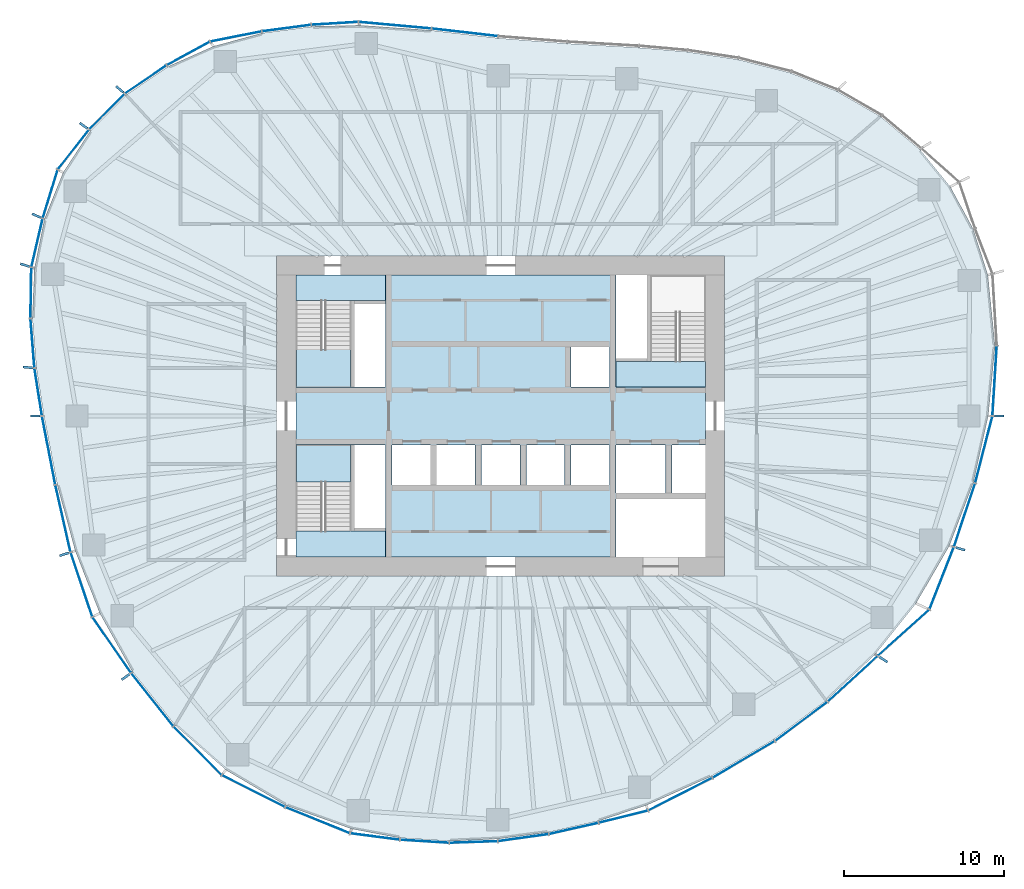
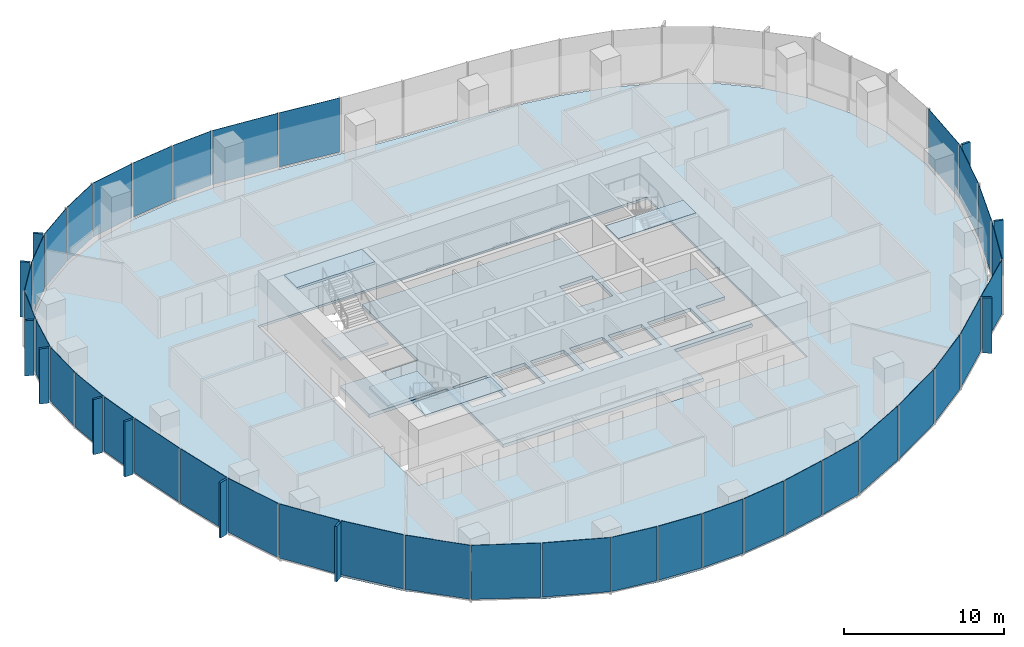
# One storey, part 7 of 18: 48 plates, 7 slabs, 19 elements without a shape of their own.
"""IFC4 building model written with IfcOpenShell, lengths in metres."""

from ifc_helpers import new_model, si_unit, direction, frame, origin, origin_2d, place, context, subcontext, project, spatial, polyline, rectangle, outline, extrude, material, layer, layer_set, type_object, element, aggregate, save


model = new_model("IFC4")

# Units and contexts
model_context = context("Model", 3, precision=1e-05, world=origin(), true_north=direction((0.0, 1.0)))
body_context = subcontext(model_context, "Body", "Model", "MODEL_VIEW")
ifc_project = project(units=[si_unit("LENGTHUNIT", "METRE"), si_unit("AREAUNIT", "SQUARE_METRE"), si_unit("VOLUMEUNIT", "CUBIC_METRE"), si_unit("PLANEANGLEUNIT", "RADIAN"), si_unit("MASSUNIT", "GRAM", prefix="KILO")], contexts=[model_context])

# Site, building, storey
site_placement = place(None, origin())
site = spatial("IfcSite", under=ifc_project, at=site_placement, CompositionType="ELEMENT")
building_placement = place(site_placement, origin())
building = spatial("IfcBuilding", under=site, at=building_placement, Name="Ghaith Harvest Tower", CompositionType="ELEMENT")
storey_placement = place(building_placement, frame((0.0, 0.0, 176.39990234375)))
storey = spatial("IfcBuildingStorey", under=building, at=storey_placement, Name="L38", CompositionType="ELEMENT", Elevation=176.39990234375)

# Curtain wall, plate
ifc_material_1 = material(Name="Black anodised aluminium and fritted glass", Category="aluminium")
curtain_wall_type = type_object("IfcCurtainWallType", Name="CW-L CURTAIN WALL", PredefinedType="NOTDEFINED", material=ifc_material_1)
curtain_wall_1_placement = place(storey_placement, origin())
curtain_wall_1 = element("IfcCurtainWall", 1, at=curtain_wall_1_placement, inside=storey, type_object=curtain_wall_type, Name="Curtain wall CW-L bay 01 L38", PredefinedType="NOTDEFINED")
ifc_material_2 = material(Name="Glass, dark solar-control fritted double glazed unit", Category="glass")
ifc_layer_1 = layer(ifc_material_2, 0.031982421875)
ifc_layer_set_1 = layer_set([ifc_layer_1], Name="CW-L VISION PANEL")
plate_type_1 = type_object("IfcPlateType", Name="CW-L VISION PANEL", PredefinedType="CURTAIN_PANEL", material=ifc_layer_set_1)
plate_1_placement = place(storey_placement, frame((30.86376953125, 2.19482421875, 0.080078125), z_axis=(0.0, 0.0, 1.0), x_axis=(0.061379619468, 0.99811449359, 0.0)))
plate_1 = element("IfcPlate", 2, at=plate_1_placement, type_object=plate_type_1, Name="CW-L glass unit 1 bay 01 L38", PredefinedType="CURTAIN_PANEL", context=body_context, shape_type="SweptSolid", body=[
    extrude(rectangle(XDim=4.318115234375, YDim=0.031982421875, at=origin_2d()), origin(), (0.0, 0.0, 1.0), 4.1201171875),
])
aggregate(curtain_wall_1, [plate_1])

# Curtain wall, plates
curtain_wall_2_placement = place(storey_placement, origin())
curtain_wall_2 = element("IfcCurtainWall", 3, at=curtain_wall_2_placement, inside=storey, type_object=curtain_wall_type, Name="Curtain wall CW-L bay 06 L38", PredefinedType="NOTDEFINED")
plate_2_placement = place(storey_placement, frame((-2.24267578125, 23.968505859375, 0.080078125), z_axis=(0.0, 0.0, 1.0), x_axis=(-0.993477024646, 0.114032458099, 0.0)))
plate_2 = element("IfcPlate", 4, at=plate_2_placement, type_object=plate_type_1, Name="CW-L glass unit 1 bay 06 L38", PredefinedType="CURTAIN_PANEL", context=body_context, shape_type="SweptSolid", body=[
    extrude(rectangle(XDim=4.10791015625, YDim=0.031982421875, at=origin_2d()), origin(), (0.0, 0.0, 1.0), 4.1201171875),
])
plate_3_placement = place(storey_placement, frame((-6.607666015625, 24.4140625, 0.080078125), z_axis=(0.0, 0.0, 1.0), x_axis=(-0.995928776302, 0.090143621701, 0.0)))
plate_3 = element("IfcPlate", 5, at=plate_3_placement, type_object=plate_type_1, Name="CW-L glass unit 2 bay 06 L38", PredefinedType="CURTAIN_PANEL", context=body_context, shape_type="SweptSolid", body=[
    extrude(rectangle(XDim=4.508056640625, YDim=0.031982421875, at=origin_2d()), origin(), (0.0, 0.0, 1.0), 4.1201171875),
])
aggregate(curtain_wall_2, [plate_2, plate_3])

curtain_wall_3_placement = place(storey_placement, origin())
curtain_wall_3 = element("IfcCurtainWall", 6, at=curtain_wall_3_placement, inside=storey, type_object=curtain_wall_type, Name="Curtain wall CW-L bay 07 L38", PredefinedType="NOTDEFINED")
plate_4_placement = place(storey_placement, frame((-10.36669921875, 24.5302734375, 0.080078125), z_axis=(0.0, 0.0, 1.0), x_axis=(-0.998119199641, -0.061303044853, 0.0)))
plate_4 = element("IfcPlate", 7, at=plate_4_placement, type_object=plate_type_1, Name="CW-L glass unit 1 bay 07 L38", PredefinedType="CURTAIN_PANEL", context=body_context, shape_type="SweptSolid", body=[
    extrude(rectangle(XDim=2.874267578125, YDim=0.031982421875, at=origin_2d()), origin(), (0.0, 0.0, 1.0), 4.1201171875),
])
plate_5_placement = place(storey_placement, frame((-13.382568359375, 24.23486328125, 0.080078125), z_axis=(0.0, 0.0, 1.0), x_axis=(-0.991285895369, -0.131728029071, 0.0)))
plate_5 = element("IfcPlate", 8, at=plate_5_placement, type_object=plate_type_1, Name="CW-L glass unit 2 bay 07 L38", PredefinedType="CURTAIN_PANEL", context=body_context, shape_type="SweptSolid", body=[
    extrude(rectangle(XDim=3.02978515625, YDim=0.031982421875, at=origin_2d()), origin(), (0.0, 0.0, 1.0), 4.1201171875),
])
plate_6_placement = place(storey_placement, frame((-16.54443359375, 23.7099609375, 0.080078125), z_axis=(0.0, 0.0, 1.0), x_axis=(-0.981037550101, -0.193817763096, 0.0)))
plate_6 = element("IfcPlate", 9, at=plate_6_placement, type_object=plate_type_1, Name="CW-L glass unit 3 bay 07 L38", PredefinedType="CURTAIN_PANEL", context=body_context, shape_type="SweptSolid", body=[
    extrude(rectangle(XDim=3.22412109375, YDim=0.031982421875, at=origin_2d()), origin(), (0.0, 0.0, 1.0), 4.1201171875),
])
aggregate(curtain_wall_3, [plate_4, plate_5, plate_6])

curtain_wall_4_placement = place(storey_placement, origin())
curtain_wall_4 = element("IfcCurtainWall", 10, at=curtain_wall_4_placement, inside=storey, type_object=curtain_wall_type, Name="Curtain wall CW-L bay 08 L38", PredefinedType="NOTDEFINED")
plate_7_placement = place(storey_placement, frame((-19.520263671875, 22.650634765625, 0.080078125), z_axis=(0.0, 0.0, 1.0), x_axis=(-0.877940384665, -0.478769966659, 0.0)))
plate_7 = element("IfcPlate", 11, at=plate_7_placement, type_object=plate_type_1, Name="CW-L glass unit 1 bay 08 L38", PredefinedType="CURTAIN_PANEL", context=body_context, shape_type="SweptSolid", body=[
    extrude(rectangle(XDim=3.007080078125, YDim=0.031982421875, at=origin_2d()), origin(), (0.0, 0.0, 1.0), 4.1201171875),
])
plate_8_placement = place(storey_placement, frame((-22.182373046875, 21.025390625, 0.080078125), z_axis=(0.0, 0.0, 1.0), x_axis=(-0.827674847773, -0.561207935051, 0.0)))
plate_8 = element("IfcPlate", 12, at=plate_8_placement, type_object=plate_type_1, Name="CW-L glass unit 2 bay 08 L38", PredefinedType="CURTAIN_PANEL", context=body_context, shape_type="SweptSolid", body=[
    extrude(rectangle(XDim=3.078369140625, YDim=0.031982421875, at=origin_2d()), origin(), (0.0, 0.0, 1.0), 4.1201171875),
])
plate_9_placement = place(storey_placement, frame((-24.603759765625, 19.01708984375, 0.080078125), z_axis=(0.0, 0.0, 1.0), x_axis=(-0.704613943896, -0.709590861037, 0.0)))
plate_9 = element("IfcPlate", 13, at=plate_9_placement, type_object=plate_type_1, Name="CW-L glass unit 3 bay 08 L38", PredefinedType="CURTAIN_PANEL", context=body_context, shape_type="SweptSolid", body=[
    extrude(rectangle(XDim=3.0830078125, YDim=0.031982421875, at=origin_2d()), origin(), (0.0, 0.0, 1.0), 4.1201171875),
])
aggregate(curtain_wall_4, [plate_7, plate_8, plate_9])

curtain_wall_5_placement = place(storey_placement, origin())
curtain_wall_5 = element("IfcCurtainWall", 14, at=curtain_wall_5_placement, inside=storey, type_object=curtain_wall_type, Name="Curtain wall CW-L bay 09 L38", PredefinedType="NOTDEFINED")
plate_10_placement = place(storey_placement, frame((-26.69873046875, 16.644775390625, 0.080078125), z_axis=(0.0, 0.0, 1.0), x_axis=(-0.617140806324, -0.786852734106, 0.0)))
plate_10 = element("IfcPlate", 15, at=plate_10_placement, type_object=plate_type_1, Name="CW-L glass unit 1 bay 09 L38", PredefinedType="CURTAIN_PANEL", context=body_context, shape_type="SweptSolid", body=[
    extrude(rectangle(XDim=3.09765625, YDim=0.031982421875, at=origin_2d()), origin(), (0.0, 0.0, 1.0), 4.1201171875),
])
plate_11_placement = place(storey_placement, frame((-28.14794921875, 13.869140625, 0.080078125), z_axis=(0.0, 0.0, 1.0), x_axis=(-0.293802674087, -0.955866093498, 0.0)))
plate_11 = element("IfcPlate", 16, at=plate_11_placement, type_object=plate_type_1, Name="CW-L glass unit 2 bay 09 L38", PredefinedType="CURTAIN_PANEL", context=body_context, shape_type="SweptSolid", body=[
    extrude(rectangle(XDim=3.111328125, YDim=0.031982421875, at=origin_2d()), origin(), (0.0, 0.0, 1.0), 4.1201171875),
])
plate_12_placement = place(storey_placement, frame((-28.9716796875, 10.819091796875, 0.080078125), z_axis=(0.0, 0.0, 1.0), x_axis=(-0.226698962458, -0.973964876379, 0.0)))
plate_12 = element("IfcPlate", 17, at=plate_12_placement, type_object=plate_type_1, Name="CW-L glass unit 3 bay 09 L38", PredefinedType="CURTAIN_PANEL", context=body_context, shape_type="SweptSolid", body=[
    extrude(rectangle(XDim=3.05126953125, YDim=0.031982421875, at=origin_2d()), origin(), (0.0, 0.0, 1.0), 4.1201171875),
])
aggregate(curtain_wall_5, [plate_10, plate_11, plate_12])

curtain_wall_6_placement = place(storey_placement, origin())
curtain_wall_6 = element("IfcCurtainWall", 18, at=curtain_wall_6_placement, inside=storey, type_object=curtain_wall_type, Name="Curtain wall CW-L bay 10 L38", PredefinedType="NOTDEFINED")
plate_13_placement = place(storey_placement, frame((-29.352294921875, 7.695068359375, 0.080078125), z_axis=(0.0, 0.0, 1.0), x_axis=(-0.016034106433, -0.999871445452, 0.0)))
plate_13 = element("IfcPlate", 19, at=plate_13_placement, type_object=plate_type_1, Name="CW-L glass unit 1 bay 10 L38", PredefinedType="CURTAIN_PANEL", context=body_context, shape_type="SweptSolid", body=[
    extrude(rectangle(XDim=3.118408203125, YDim=0.031982421875, at=origin_2d()), origin(), (0.0, 0.0, 1.0), 4.1201171875),
])
plate_14_placement = place(storey_placement, frame((-29.25439453125, 4.54345703125, 0.080078125), z_axis=(0.0, 0.0, 1.0), x_axis=(0.079273335663, -0.996852917061, 0.0)))
plate_14 = element("IfcPlate", 20, at=plate_14_placement, type_object=plate_type_1, Name="CW-L glass unit 2 bay 10 L38", PredefinedType="CURTAIN_PANEL", context=body_context, shape_type="SweptSolid", body=[
    extrude(rectangle(XDim=3.035400390625, YDim=0.031982421875, at=origin_2d()), origin(), (0.0, 0.0, 1.0), 4.1201171875),
])
plate_15_placement = place(storey_placement, frame((-28.896240234375, 1.495361328125, 0.080078125), z_axis=(0.0, 0.0, 1.0), x_axis=(0.155172175389, -0.987887440949, 0.0)))
plate_15 = element("IfcPlate", 21, at=plate_15_placement, type_object=plate_type_1, Name="CW-L glass unit 3 bay 10 L38", PredefinedType="CURTAIN_PANEL", context=body_context, shape_type="SweptSolid", body=[
    extrude(rectangle(XDim=2.947265625, YDim=0.031982421875, at=origin_2d()), origin(), (0.0, 0.0, 1.0), 4.1201171875),
])
aggregate(curtain_wall_6, [plate_13, plate_14, plate_15])

curtain_wall_7_placement = place(storey_placement, origin())
curtain_wall_7 = element("IfcCurtainWall", 22, at=curtain_wall_7_placement, inside=storey, type_object=curtain_wall_type, Name="Curtain wall CW-L bay 11 L38", PredefinedType="NOTDEFINED")
plate_16_placement = place(storey_placement, frame((-28.24462890625, -2.152099609375, 0.080078125), z_axis=(0.0, 0.0, 1.0), x_axis=(0.190044913274, -0.981775397399, 0.0)))
plate_16 = element("IfcPlate", 23, at=plate_16_placement, type_object=plate_type_1, Name="CW-L glass unit 1 bay 11 L38", PredefinedType="CURTAIN_PANEL", context=body_context, shape_type="SweptSolid", body=[
    extrude(rectangle(XDim=4.303955078125, YDim=0.031982421875, at=origin_2d()), origin(), (0.0, 0.0, 1.0), 4.1201171875),
])
plate_17_placement = place(storey_placement, frame((-27.351806640625, -6.41064453125, 0.080078125), z_axis=(0.0, 0.0, 1.0), x_axis=(0.220483469245, -0.975390711351, 0.0)))
plate_17 = element("IfcPlate", 24, at=plate_17_placement, type_object=plate_type_1, Name="CW-L glass unit 2 bay 11 L38", PredefinedType="CURTAIN_PANEL", context=body_context, shape_type="SweptSolid", body=[
    extrude(rectangle(XDim=4.239501953125, YDim=0.031982421875, at=origin_2d()), origin(), (0.0, 0.0, 1.0), 4.1201171875),
])
aggregate(curtain_wall_7, [plate_16, plate_17])

curtain_wall_8_placement = place(storey_placement, origin())
curtain_wall_8 = element("IfcCurtainWall", 25, at=curtain_wall_8_placement, inside=storey, type_object=curtain_wall_type, Name="Curtain wall CW-L bay 12 L38", PredefinedType="NOTDEFINED")
plate_18_placement = place(storey_placement, frame((-26.194580078125, -10.537841796875, 0.080078125), z_axis=(0.0, 0.0, 1.0), x_axis=(0.319477383729, -0.947593901039, 0.0)))
plate_18 = element("IfcPlate", 26, at=plate_18_placement, type_object=plate_type_1, Name="CW-L glass unit 1 bay 12 L38", PredefinedType="CURTAIN_PANEL", context=body_context, shape_type="SweptSolid", body=[
    extrude(rectangle(XDim=4.184326171875, YDim=0.031982421875, at=origin_2d()), origin(), (0.0, 0.0, 1.0), 4.1201171875),
])
plate_19_placement = place(storey_placement, frame((-24.3017578125, -14.312255859375, 0.080078125), z_axis=(0.0, 0.0, 1.0), x_axis=(0.568347699633, -0.822788485774, 0.0)))
plate_19 = element("IfcPlate", 27, at=plate_19_placement, type_object=plate_type_1, Name="CW-L glass unit 2 bay 12 L38", PredefinedType="CURTAIN_PANEL", context=body_context, shape_type="SweptSolid", body=[
    extrude(rectangle(XDim=4.18359375, YDim=0.031982421875, at=origin_2d()), origin(), (0.0, 0.0, 1.0), 4.1201171875),
])
aggregate(curtain_wall_8, [plate_18, plate_19])

curtain_wall_9_placement = place(storey_placement, origin())
curtain_wall_9 = element("IfcCurtainWall", 28, at=curtain_wall_9_placement, inside=storey, type_object=curtain_wall_type, Name="Curtain wall CW-L bay 13 L38", PredefinedType="NOTDEFINED")
plate_20_placement = place(storey_placement, frame((-21.765625, -17.7314453125, 0.080078125), z_axis=(0.0, 0.0, 1.0), x_axis=(0.622507360482, -0.782613944513, 0.0)))
plate_20 = element("IfcPlate", 29, at=plate_20_placement, type_object=plate_type_1, Name="CW-L glass unit 1 bay 13 L38", PredefinedType="CURTAIN_PANEL", context=body_context, shape_type="SweptSolid", body=[
    extrude(rectangle(XDim=4.175537109375, YDim=0.031982421875, at=origin_2d()), origin(), (0.0, 0.0, 1.0), 4.1201171875),
])
plate_21_placement = place(storey_placement, frame((-18.935791015625, -20.920166015625, 0.080078125), z_axis=(0.0, 0.0, 1.0), x_axis=(0.702843151286, -0.711344856375, 0.0)))
plate_21 = element("IfcPlate", 30, at=plate_21_placement, type_object=plate_type_1, Name="CW-L glass unit 2 bay 13 L38", PredefinedType="CURTAIN_PANEL", context=body_context, shape_type="SweptSolid", body=[
    extrude(rectangle(XDim=4.203369140625, YDim=0.031982421875, at=origin_2d()), origin(), (0.0, 0.0, 1.0), 4.1201171875),
])
aggregate(curtain_wall_9, [plate_20, plate_21])

curtain_wall_10_placement = place(storey_placement, origin())
curtain_wall_10 = element("IfcCurtainWall", 31, at=curtain_wall_10_placement, inside=storey, type_object=curtain_wall_type, Name="Curtain wall CW-L bay 14 L38", PredefinedType="NOTDEFINED")
plate_22_placement = place(storey_placement, frame((-15.44677734375, -23.443115234375, 0.080078125), z_axis=(0.0, 0.0, 1.0), x_axis=(0.893062297869, -0.449933030712, 0.0)))
plate_22 = element("IfcPlate", 32, at=plate_22_placement, type_object=plate_type_1, Name="CW-L glass unit 1 bay 14 L38", PredefinedType="CURTAIN_PANEL", context=body_context, shape_type="SweptSolid", body=[
    extrude(rectangle(XDim=4.362548828125, YDim=0.031982421875, at=origin_2d()), origin(), (0.0, 0.0, 1.0), 4.1201171875),
])
plate_23_placement = place(storey_placement, frame((-11.441162109375, -25.260498046875, 0.080078125), z_axis=(0.0, 0.0, 1.0), x_axis=(0.927002522537, -0.375055093567, 0.0)))
plate_23 = element("IfcPlate", 33, at=plate_23_placement, type_object=plate_type_1, Name="CW-L glass unit 2 bay 14 L38", PredefinedType="CURTAIN_PANEL", context=body_context, shape_type="SweptSolid", body=[
    extrude(rectangle(XDim=4.282470703125, YDim=0.031982421875, at=origin_2d()), origin(), (0.0, 0.0, 1.0), 4.1201171875),
])
aggregate(curtain_wall_10, [plate_22, plate_23])

curtain_wall_11_placement = place(storey_placement, origin())
curtain_wall_11 = element("IfcCurtainWall", 34, at=curtain_wall_11_placement, inside=storey, type_object=curtain_wall_type, Name="Curtain wall CW-L bay 15 L38", PredefinedType="NOTDEFINED")
plate_24_placement = place(storey_placement, frame((-7.856689453125, -26.281005859375, 0.080078125), z_axis=(0.0, 0.0, 1.0), x_axis=(0.99172348392, -0.128392100386, 0.0)))
plate_24 = element("IfcPlate", 35, at=plate_24_placement, type_object=plate_type_1, Name="CW-L glass unit 1 bay 15 L38", PredefinedType="CURTAIN_PANEL", context=body_context, shape_type="SweptSolid", body=[
    extrude(rectangle(XDim=3.07080078125, YDim=0.031982421875, at=origin_2d()), origin(), (0.0, 0.0, 1.0), 4.1201171875),
])
plate_25_placement = place(storey_placement, frame((-4.7568359375, -26.57958984375, 0.080078125), z_axis=(0.0, 0.0, 1.0), x_axis=(0.998038280843, -0.062606628824, 0.0)))
plate_25 = element("IfcPlate", 36, at=plate_25_placement, type_object=plate_type_1, Name="CW-L glass unit 2 bay 15 L38", PredefinedType="CURTAIN_PANEL", context=body_context, shape_type="SweptSolid", body=[
    extrude(rectangle(XDim=3.001220703125, YDim=0.031982421875, at=origin_2d()), origin(), (0.0, 0.0, 1.0), 4.1201171875),
])
plate_26_placement = place(storey_placement, frame((-1.700439453125, -26.624755859375, 0.080078125), z_axis=(0.0, 0.0, 1.0), x_axis=(0.999431515426, 0.033714180603, 0.0)))
plate_26 = element("IfcPlate", 37, at=plate_26_placement, type_object=plate_type_1, Name="CW-L glass unit 3 bay 15 L38", PredefinedType="CURTAIN_PANEL", context=body_context, shape_type="SweptSolid", body=[
    extrude(rectangle(XDim=2.958984375, YDim=0.031982421875, at=origin_2d()), origin(), (0.0, 0.0, 1.0), 4.1201171875),
])
aggregate(curtain_wall_11, [plate_24, plate_25, plate_26])

curtain_wall_12_placement = place(storey_placement, origin())
curtain_wall_12 = element("IfcCurtainWall", 38, at=curtain_wall_12_placement, inside=storey, type_object=curtain_wall_type, Name="Curtain wall CW-L bay 16 L38", PredefinedType="NOTDEFINED")
plate_27_placement = place(storey_placement, frame((1.4140625, -26.3515625, 0.080078125), z_axis=(0.0, 0.0, 1.0), x_axis=(0.990448098003, 0.137886058621, 0.0)))
plate_27 = element("IfcPlate", 39, at=plate_27_placement, type_object=plate_type_1, Name="CW-L glass unit 1 bay 16 L38", PredefinedType="CURTAIN_PANEL", context=body_context, shape_type="SweptSolid", body=[
    extrude(rectangle(XDim=3.142578125, YDim=0.031982421875, at=origin_2d()), origin(), (0.0, 0.0, 1.0), 4.1201171875),
])
plate_28_placement = place(storey_placement, frame((4.565185546875, -25.77734375, 0.080078125), z_axis=(0.0, 0.0, 1.0), x_axis=(0.975341754172, 0.220699937852, 0.0)))
plate_28 = element("IfcPlate", 40, at=plate_28_placement, type_object=plate_type_1, Name="CW-L glass unit 2 bay 16 L38", PredefinedType="CURTAIN_PANEL", context=body_context, shape_type="SweptSolid", body=[
    extrude(rectangle(XDim=3.10888671875, YDim=0.031982421875, at=origin_2d()), origin(), (0.0, 0.0, 1.0), 4.1201171875),
])
plate_29_placement = place(storey_placement, frame((7.66845703125, -25.0400390625, 0.080078125), z_axis=(0.0, 0.0, 1.0), x_axis=(0.970384283801, 0.241566433413, 0.0)))
plate_29 = element("IfcPlate", 41, at=plate_29_placement, type_object=plate_type_1, Name="CW-L glass unit 3 bay 16 L38", PredefinedType="CURTAIN_PANEL", context=body_context, shape_type="SweptSolid", body=[
    extrude(rectangle(XDim=3.111083984375, YDim=0.031982421875, at=origin_2d()), origin(), (0.0, 0.0, 1.0), 4.1201171875),
])
aggregate(curtain_wall_12, [plate_27, plate_28, plate_29])

curtain_wall_13_placement = place(storey_placement, origin())
curtain_wall_13 = element("IfcCurtainWall", 42, at=curtain_wall_13_placement, inside=storey, type_object=curtain_wall_type, Name="Curtain wall CW-L bay 17 L38", PredefinedType="NOTDEFINED")
plate_30_placement = place(storey_placement, frame((11.220703125, -23.63427734375, 0.080078125), z_axis=(0.0, 0.0, 1.0), x_axis=(0.891126766056, 0.453754434489, 0.0)))
plate_30 = element("IfcPlate", 43, at=plate_30_placement, type_object=plate_type_1, Name="CW-L glass unit 1 bay 17 L38", PredefinedType="CURTAIN_PANEL", context=body_context, shape_type="SweptSolid", body=[
    extrude(rectangle(XDim=4.417236328125, YDim=0.031982421875, at=origin_2d()), origin(), (0.0, 0.0, 1.0), 4.1201171875),
])
plate_31_placement = place(storey_placement, frame((15.17822265625, -21.46484375, 0.080078125), z_axis=(0.0, 0.0, 1.0), x_axis=(0.861979497965, 0.506943137924, 0.0)))
plate_31 = element("IfcPlate", 44, at=plate_31_placement, type_object=plate_type_1, Name="CW-L glass unit 2 bay 17 L38", PredefinedType="CURTAIN_PANEL", context=body_context, shape_type="SweptSolid", body=[
    extrude(rectangle(XDim=4.453125, YDim=0.031982421875, at=origin_2d()), origin(), (0.0, 0.0, 1.0), 4.1201171875),
])
aggregate(curtain_wall_13, [plate_30, plate_31])

curtain_wall_14_placement = place(storey_placement, origin())
curtain_wall_14 = element("IfcCurtainWall", 45, at=curtain_wall_14_placement, inside=storey, type_object=curtain_wall_type, Name="Curtain wall CW-L bay 18 L38", PredefinedType="NOTDEFINED")
plate_32_placement = place(storey_placement, frame((18.78076171875, -19.08984375, 0.080078125), z_axis=(0.0, 0.0, 1.0), x_axis=(0.802462370117, 0.596702727115, 0.0)))
plate_32 = element("IfcPlate", 46, at=plate_32_placement, type_object=plate_type_1, Name="CW-L glass unit 1 bay 18 L38", PredefinedType="CURTAIN_PANEL", context=body_context, shape_type="SweptSolid", body=[
    extrude(rectangle(XDim=4.029541015625, YDim=0.031982421875, at=origin_2d()), origin(), (0.0, 0.0, 1.0), 4.1201171875),
])
plate_33_placement = place(storey_placement, frame((21.9951171875, -16.428955078125, 0.080078125), z_axis=(0.0, 0.0, 1.0), x_axis=(0.737201663563, 0.675672781189, 0.0)))
plate_33 = element("IfcPlate", 47, at=plate_33_placement, type_object=plate_type_1, Name="CW-L glass unit 2 bay 18 L38", PredefinedType="CURTAIN_PANEL", context=body_context, shape_type="SweptSolid", body=[
    extrude(rectangle(XDim=4.1669921875, YDim=0.031982421875, at=origin_2d()), origin(), (0.0, 0.0, 1.0), 4.1201171875),
])
aggregate(curtain_wall_14, [plate_32, plate_33])

curtain_wall_15_placement = place(storey_placement, origin())
curtain_wall_15 = element("IfcCurtainWall", 48, at=curtain_wall_15_placement, inside=storey, type_object=curtain_wall_type, Name="Curtain wall CW-L bay 19 L38", PredefinedType="NOTDEFINED")
plate_34_placement = place(storey_placement, frame((25.17333984375, -13.54345703125, 0.080078125), z_axis=(0.0, 0.0, 1.0), x_axis=(0.743493028761, 0.668743684968, 0.0)))
plate_34 = element("IfcPlate", 49, at=plate_34_placement, type_object=plate_type_1, Name="CW-L glass unit 1 bay 19 L38", PredefinedType="CURTAIN_PANEL", context=body_context, shape_type="SweptSolid", body=[
    extrude(rectangle(XDim=4.2587890625, YDim=0.031982421875, at=origin_2d()), origin(), (0.0, 0.0, 1.0), 4.1201171875),
])
plate_35_placement = place(storey_placement, frame((27.552978515625, -10.138916015625, 0.080078125), z_axis=(0.0, 0.0, 1.0), x_axis=(0.365226458984, 0.930918704108, 0.0)))
plate_35 = element("IfcPlate", 50, at=plate_35_placement, type_object=plate_type_1, Name="CW-L glass unit 2 bay 19 L38", PredefinedType="CURTAIN_PANEL", context=body_context, shape_type="SweptSolid", body=[
    extrude(rectangle(XDim=4.11767578125, YDim=0.031982421875, at=origin_2d()), origin(), (0.0, 0.0, 1.0), 4.1201171875),
])
aggregate(curtain_wall_15, [plate_34, plate_35])

curtain_wall_16_placement = place(storey_placement, origin())
curtain_wall_16 = element("IfcCurtainWall", 51, at=curtain_wall_16_placement, inside=storey, type_object=curtain_wall_type, Name="Curtain wall CW-L bay 20 L38", PredefinedType="NOTDEFINED")
plate_36_placement = place(storey_placement, frame((28.982666015625, -6.191650390625, 0.080078125), z_axis=(0.0, 0.0, 1.0), x_axis=(0.315708038084, 0.948856382541, 0.0)))
plate_36 = element("IfcPlate", 52, at=plate_36_placement, type_object=plate_type_1, Name="CW-L glass unit 1 bay 20 L38", PredefinedType="CURTAIN_PANEL", context=body_context, shape_type="SweptSolid", body=[
    extrude(rectangle(XDim=4.12158203125, YDim=0.031982421875, at=origin_2d()), origin(), (0.0, 0.0, 1.0), 4.1201171875),
])
plate_37_placement = place(storey_placement, frame((30.187255859375, -2.09912109375, 0.080078125), z_axis=(0.0, 0.0, 1.0), x_axis=(0.24974411022, 0.968311870944, 0.0)))
plate_37 = element("IfcPlate", 53, at=plate_37_placement, type_object=plate_type_1, Name="CW-L glass unit 2 bay 20 L38", PredefinedType="CURTAIN_PANEL", context=body_context, shape_type="SweptSolid", body=[
    extrude(rectangle(XDim=4.255615234375, YDim=0.031982421875, at=origin_2d()), origin(), (0.0, 0.0, 1.0), 4.1201171875),
])
aggregate(curtain_wall_16, [plate_36, plate_37])

# Slabs
ifc_material_3 = material(Name="Concrete C40/50", Category="concrete")
ifc_layer_2 = layer(ifc_material_3, 0.169921875)
ifc_layer_set_2 = layer_set([ifc_layer_2], Name="FLOOR SLAB 170")
slab_type_1 = type_object("IfcSlabType", Name="FLOOR SLAB 170", PredefinedType="FLOOR", material=ifc_layer_set_2)
slab_1_placement = place(storey_placement, frame((0.0, 0.0, -0.169921875)))
element("IfcSlab", 54, at=slab_1_placement, inside=storey, type_object=slab_type_1, Name="Floor slab L38", PredefinedType="FLOOR", context=body_context, shape_type="SweptSolid", body=[
    extrude(outline(polyline([(30.458740234375, 0.0), (30.8798828125, 4.373046875), (30.439208984375, 8.797607421875), (29.52294921875, 11.671875), (28.0888671875, 14.32568359375), (26.179443359375, 16.660888671875), (23.7275390625, 18.718017578125), (20.97998046875, 20.3056640625), (18.0849609375, 21.4462890625), (14.79833984375, 22.27978515625), (11.617919921875, 22.757080078125), (8.604736328125, 23.017333984375), (4.125732421875, 23.272705078125), (-0.16162109375, 23.609619140625), (-4.302001953125, 24.089111328125), (-8.814208984375, 24.404541015625), (-11.788818359375, 24.331787109375), (-14.860595703125, 23.927978515625), (-17.938232421875, 23.097412109375), (-20.79248046875, 21.82470703125), (-23.398193359375, 20.06103515625), (-25.61962890625, 17.826416015625), (-27.33837890625, 15.204833984375), (-28.506591796875, 12.29638671875), (-29.12646484375, 9.230712890625), (-29.260498046875, 6.07177734375), (-29.01171875, 2.978271484375), (-28.541259765625, 0.0), (-27.70947265625, -4.285888671875), (-26.580078125, -8.423583984375), (-25.046875, -12.32861328125), (-22.99169921875, -15.997802734375), (-20.35400390625, -19.31396484375), (-17.1728515625, -22.11181640625), (-13.4052734375, -24.33740234375), (-9.317138671875, -25.79638671875), (-6.2666015625, -26.366455078125), (-3.204833984375, -26.556884765625), (-0.180908203125, -26.423583984375), (2.99609375, -26.010009765625), (6.09228515625, -25.308837890625), (9.09423828125, -24.326904296875), (13.163818359375, -22.510498046875), (17.054443359375, -20.22412109375), (20.33935546875, -17.784912109375), (23.400390625, -14.89208984375), (25.94775390625, -11.714111328125), (28.03125, -8.1015625), (29.527099609375, -4.181396484375), (30.458740234375, 0.0)]), holes=[polyline([(-14.0, -10.0), (14.0, -10.0), (14.0, 10.0), (-14.0, 10.0), (-14.0, -10.0)])]), origin(), (0.0, 0.0, 1.0), 0.169921875),
])
ifc_material_4 = material(Name="Concrete C40/50", Category="concrete")
ifc_layer_3 = layer(ifc_material_4, 0.25)
ifc_layer_set_3 = layer_set([ifc_layer_3], Name="FLOOR SLAB 250")
slab_type_2 = type_object("IfcSlabType", Name="FLOOR SLAB 250", PredefinedType="FLOOR", material=ifc_layer_set_3)
slab_2_placement = place(storey_placement, frame((0.0, 0.0, -0.25)))
element("IfcSlab", 55, at=slab_2_placement, inside=storey, type_object=slab_type_2, Name="Core slab L38", PredefinedType="FLOOR", context=body_context, shape_type="SweptSolid", body=[
    extrude(outline(polyline([(-12.800048828125, 1.800048828125), (-7.199951171875, 1.800048828125), (-7.199951171875, 8.800048828125), (7.199951171875, 8.800048828125), (7.199951171875, 1.800048828125), (12.800048828125, 1.800048828125), (12.800048828125, -1.800048828125), (10.699951171875, -1.800048828125), (10.699951171875, -4.800048828125), (12.800048828125, -4.800048828125), (12.800048828125, -5.199951171875), (7.199951171875, -5.199951171875), (7.199951171875, -8.800048828125), (-7.199951171875, -8.800048828125), (-7.199951171875, -1.800048828125), (-12.800048828125, -1.800048828125), (-12.800048828125, 1.800048828125)]), holes=[polyline([(-4.39990234375, -4.300048828125), (-4.39990234375, -1.800048828125), (-6.800048828125, -1.800048828125), (-6.800048828125, -4.300048828125), (-4.39990234375, -4.300048828125)]), polyline([(-1.60009765625, -4.300048828125), (-1.60009765625, -1.800048828125), (-4.0, -1.800048828125), (-4.0, -4.300048828125), (-1.60009765625, -4.300048828125)]), polyline([(1.199951171875, -1.800048828125), (-1.199951171875, -1.800048828125), (-1.199951171875, -4.300048828125), (1.199951171875, -4.300048828125), (1.199951171875, -1.800048828125)]), polyline([(4.0, -4.300048828125), (4.0, -1.800048828125), (1.60009765625, -1.800048828125), (1.60009765625, -4.300048828125), (4.0, -4.300048828125)]), polyline([(10.300048828125, -4.800048828125), (10.300048828125, -1.800048828125), (7.199951171875, -1.800048828125), (7.199951171875, -4.800048828125), (10.300048828125, -4.800048828125)]), polyline([(6.800048828125, -1.800048828125), (4.39990234375, -1.800048828125), (4.39990234375, -4.300048828125), (6.800048828125, -4.300048828125), (6.800048828125, -1.800048828125)]), polyline([(6.800048828125, 1.800048828125), (6.800048828125, 4.300048828125), (4.39990234375, 4.300048828125), (4.39990234375, 1.800048828125), (6.800048828125, 1.800048828125)])]), origin(), (0.0, 0.0, 1.0), 0.25),
])

# Stair, slabs
ifc_material_5 = material(Name="Concrete C40/50, precast", Category="concrete")
stair_type = type_object("IfcStairType", Name="CORE STAIR 24R", PredefinedType="HALF_TURN_STAIR", material=ifc_material_5)
stair_1_placement = place(storey_placement, origin())
stair_1 = element("IfcStair", 56, at=stair_1_placement, inside=storey, type_object=stair_type, Name="Stair ST1 L38", PredefinedType="HALF_TURN_STAIR")
ifc_material_6 = material(Name="Concrete C40/50, precast", Category="concrete")
ifc_layer_4 = layer(ifc_material_6, 0.179931640625)
ifc_layer_set_4 = layer_set([ifc_layer_4], Name="STAIR LANDING 180")
slab_type_3 = type_object("IfcSlabType", Name="STAIR LANDING 180", PredefinedType="LANDING", material=ifc_layer_set_4)
slab_3_placement = place(storey_placement, frame((0.0, 0.0, 1.920166015625)))
slab_3 = element("IfcSlab", 57, at=slab_3_placement, type_object=slab_type_3, Name="ST1 landing 1", PredefinedType="LANDING", context=body_context, shape_type="SweptSolid", body=[
    extrude(outline(polyline([(-12.800048828125, 4.139892578125), (-12.800048828125, 1.77490234375), (-9.35009765625, 1.77490234375), (-9.35009765625, 4.139892578125), (-12.800048828125, 4.139892578125)])), origin(), (0.0, 0.0, 1.0), 0.179931640625),
])
slab_4_placement = place(storey_placement, frame((0.0, 0.0, 4.02001953125)))
slab_4 = element("IfcSlab", 58, at=slab_4_placement, type_object=slab_type_3, Name="ST1 landing 2", PredefinedType="LANDING", context=body_context, shape_type="SweptSolid", body=[
    extrude(outline(polyline([(-12.800048828125, 8.800048828125), (-12.800048828125, 7.199951171875), (-7.199951171875, 7.199951171875), (-7.199951171875, 8.800048828125), (-12.800048828125, 8.800048828125)])), origin(), (0.0, 0.0, 1.0), 0.18017578125),
])
aggregate(stair_1, [slab_3, slab_4])

stair_2_placement = place(storey_placement, origin())
stair_2 = element("IfcStair", 59, at=stair_2_placement, inside=storey, type_object=stair_type, Name="Stair ST3 L38", PredefinedType="HALF_TURN_STAIR")
slab_5_placement = place(storey_placement, frame((0.0, 0.0, 1.920166015625)))
slab_5 = element("IfcSlab", 60, at=slab_5_placement, type_object=slab_type_3, Name="ST3 landing 1", PredefinedType="LANDING", context=body_context, shape_type="SweptSolid", body=[
    extrude(outline(polyline([(-12.800048828125, -4.139892578125), (-12.800048828125, -1.77490234375), (-9.35009765625, -1.77490234375), (-9.35009765625, -4.139892578125), (-12.800048828125, -4.139892578125)])), origin(), (0.0, 0.0, 1.0), 0.179931640625),
])
slab_6_placement = place(storey_placement, frame((0.0, 0.0, 4.02001953125)))
slab_6 = element("IfcSlab", 61, at=slab_6_placement, type_object=slab_type_3, Name="ST3 landing 2", PredefinedType="LANDING", context=body_context, shape_type="SweptSolid", body=[
    extrude(outline(polyline([(-12.800048828125, -8.800048828125), (-12.800048828125, -7.199951171875), (-7.199951171875, -7.199951171875), (-7.199951171875, -8.800048828125), (-12.800048828125, -8.800048828125)])), origin(), (0.0, 0.0, 1.0), 0.18017578125),
])
aggregate(stair_2, [slab_5, slab_6])

# Stair, slab
stair_3_placement = place(storey_placement, origin())
stair_3 = element("IfcStair", 62, at=stair_3_placement, inside=storey, type_object=stair_type, Name="Stair ST2 L38", PredefinedType="HALF_TURN_STAIR")
slab_7_placement = place(storey_placement, frame((0.0, 0.0, 4.02001953125)))
slab_7 = element("IfcSlab", 63, at=slab_7_placement, type_object=slab_type_3, Name="ST2 landing 2", PredefinedType="LANDING", context=body_context, shape_type="SweptSolid", body=[
    extrude(outline(polyline([(12.800048828125, 1.800048828125), (12.800048828125, 3.39990234375), (7.199951171875, 3.39990234375), (7.199951171875, 1.800048828125), (12.800048828125, 1.800048828125)])), origin(), (0.0, 0.0, 1.0), 0.18017578125),
])
aggregate(stair_3, [slab_7])

# Plates
ifc_material_7 = material(Name="Glassfibre-reinforced concrete", Category="concrete")
ifc_layer_5 = layer(ifc_material_7, 0.14990234375)
ifc_layer_set_5 = layer_set([ifc_layer_5], Name="SUN-BREAKER FIN 600x150")
plate_type_2 = type_object("IfcPlateType", Name="SUN-BREAKER FIN 600x150", PredefinedType="USERDEFINED", material=ifc_layer_set_5)
for number, where, z_axis, x_axis, name in (
    (64, (31.148681640625, 0.0, 0.0), (0.0, 0.0, 1.0), (1.0, 0.0, 0.0), "Sun-breaker fin CW-L 1 bay 01 L38"),
    (65, (-23.808349609375, 20.41259765625, 0.0), (0.0, 0.0, 1.0), (-0.759169742643, 0.650892696115, 0.0), "Sun-breaker fin CW-L 3 bay 08 L38"),
    (66, (-26.06298828125, 18.134765625, 0.0), (0.0, 0.0, 1.0), (-0.820845486523, 0.571150319316, 0.0), "Sun-breaker fin CW-L 1 bay 09 L38"),
    (67, (-29.00244140625, 12.51025390625, 0.0), (0.0, 0.0, 1.0), (-0.918217993215, 0.396075392995, 0.0), "Sun-breaker fin CW-L 3 bay 09 L38"),
    (68, (-29.72705078125, 9.4208984375, 0.0), (0.0, 0.0, 1.0), (-0.953273219358, 0.302109531884, 0.0), "Sun-breaker fin CW-L 1 bay 10 L38"),
    (69, (-29.548828125, 3.033447265625, 0.0), (0.0, 0.0, 1.0), (-0.994771752973, 0.102123256344, 0.0), "Sun-breaker fin CW-L 3 bay 10 L38"),
    (70, (-29.081298828125, 0.0, 0.0), (0.0, 0.0, 1.0), (-1.0, -4.19e-10, 0.0), "Sun-breaker fin CW-L 1 bay 11 L38"),
    (71, (-27.276123046875, -8.644287109375, 0.0), (0.0, 0.0, 1.0), (-0.953273219416, -0.302109531701, 0.0), "Sun-breaker fin CW-L 1 bay 12 L38"),
    (72, (-23.434814453125, -16.30615234375, 0.0), (0.0, 0.0, 1.0), (-0.820845486622, -0.571150319173, 0.0), "Sun-breaker fin CW-L 1 bay 13 L38"),
    (73, (23.914794921875, -15.2197265625, 0.0), (0.0, 0.0, 1.0), (0.84364397137, -0.536903016913, 0.0), "Sun-breaker fin CW-L 1 bay 19 L38"),
    (74, (28.722900390625, -8.301513671875, 0.0), (0.0, 0.0, 1.0), (0.960680349932, -0.277656739976, 0.0), "Sun-breaker fin CW-L 1 bay 20 L38"),
):
    element("IfcPlate", number, at=place(storey_placement, frame(where, z_axis=z_axis, x_axis=x_axis)), inside=storey, type_object=plate_type_2, Name=name, ObjectType="SUN-BREAKER FIN", PredefinedType="USERDEFINED", context=body_context, shape_type="SweptSolid", body=[
        extrude(rectangle(XDim=0.60009765625, YDim=0.14990234375, at=origin_2d()), origin(), (0.0, 0.0, 1.0), 4.199951171875),
    ])

save(model, "model.ifc")
